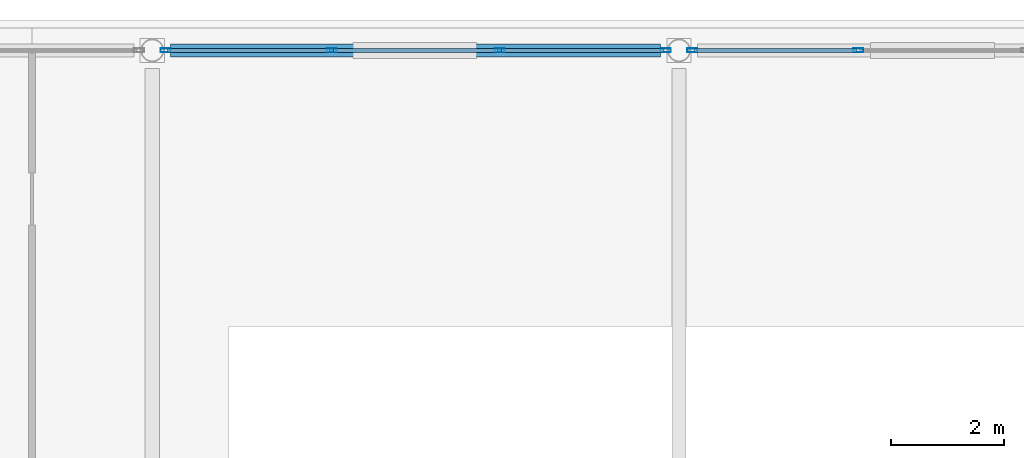
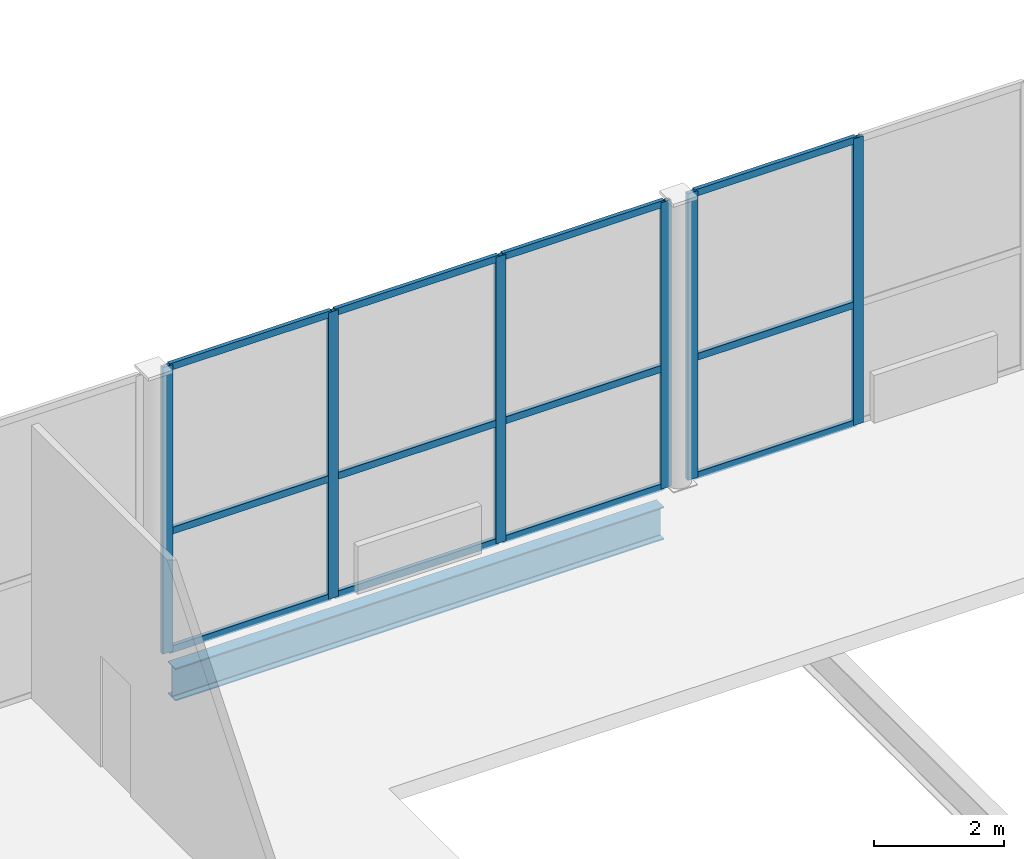
# One storey, part 53 of 83: 18 members, 1 beam, 2 elements without a shape of their own.
"""IFC4 building model written with IfcOpenShell, lengths in metres."""

import ifcopenshell
import ifcopenshell.guid

model = None  # the IFC model being written
_history = None  # IfcOwnerHistory: only IFC2X3 demands one
_inside = {}  # id of a spatial element -> (the spatial element, [elements in it])
_under = {}  # id of a project, library or spatial element -> (it, [spatial elements below it])
_declared = {}  # id of a project -> (the project, [libraries it declares])
_typed = {}  # id of a type object -> (the type object, [elements of that type])
_made_of = {}  # id of a material, layer set ... -> (it, [elements and type objects made of it])


def new_model(schema):
    """Start an empty IFC model of exactly this schema.

    Asked for "IFC4X3", IfcOpenShell would pick the latest addendum, in which some entities
    have other attributes; the version numbers below select the first issue.
    IFC2X3 requires an IfcOwnerHistory on every rooted entity: one is made here for all.
    """
    global model, _history
    if schema == "IFC4X3":
        model = ifcopenshell.file(schema_version=(4, 3, 0, 0))
    else:
        model = ifcopenshell.file(schema=schema)
    _inside.clear()
    _under.clear()
    _declared.clear()
    _typed.clear()
    _made_of.clear()
    _history = None
    if model.schema == "IFC2X3":
        org = make("IfcOrganization", Name="unknown")
        user = make(
            "IfcPersonAndOrganization",
            ThePerson=make("IfcPerson", FamilyName="unknown"),
            TheOrganization=org,
        )
        app = make(
            "IfcApplication",
            ApplicationDeveloper=org,
            Version="unknown",
            ApplicationFullName="unknown",
            ApplicationIdentifier="unknown",
        )
        _history = make(
            "IfcOwnerHistory",
            OwningUser=user,
            OwningApplication=app,
            ChangeAction="ADDED",
            CreationDate=0,
        )
    return model


def make(cls, **values):
    """One entity of the class cls with the attributes given. An attribute that is None is left unset."""
    return model.create_entity(
        cls, **{name: value for name, value in values.items() if value is not None}
    )


def rooted(cls, **values):
    """An entity with a GlobalId (a new one), such as an element, a storey or a relation."""
    return make(cls, GlobalId=ifcopenshell.guid.new(), OwnerHistory=_history, **values)


def si_unit(unit_type, name, prefix=None):
    """IfcSIUnit, for example si_unit("LENGTHUNIT", "METRE", prefix="MILLI")."""
    return make("IfcSIUnit", UnitType=unit_type, Prefix=prefix, Name=name)


def assignment(units):
    """IfcUnitAssignment: the units of a project."""
    return None if units is None else make("IfcUnitAssignment", Units=units)


def point(xyz):
    """IfcCartesianPoint."""
    return None if xyz is None else make("IfcCartesianPoint", Coordinates=xyz)


def direction(xyz):
    """IfcDirection."""
    return None if xyz is None else make("IfcDirection", DirectionRatios=xyz)


def frame(location, z_axis=None, x_axis=None):
    """IfcAxis2Placement3D, a coordinate frame: its origin and axes. An axis left out is left unset."""
    return make(
        "IfcAxis2Placement3D",
        Location=point(location),
        Axis=direction(z_axis),
        RefDirection=direction(x_axis),
    )


def frame_2d(location, x_axis=None):
    """IfcAxis2Placement2D, a coordinate frame in the plane: its origin and x axis."""
    return make(
        "IfcAxis2Placement2D", Location=point(location), RefDirection=direction(x_axis)
    )


def origin():
    """The frame at (0, 0, 0) with its axes left unset."""
    return frame((0.0, 0.0, 0.0))


def origin_2d():
    """The frame at (0, 0) in the plane with its x axis left unset."""
    return frame_2d((0.0, 0.0))


def place(relative_to, where):
    """IfcLocalPlacement: puts the frame where relative to a parent placement (None: the world)."""
    return make(
        "IfcLocalPlacement", PlacementRelTo=relative_to, RelativePlacement=where
    )


def context(
    kind, dimensions, precision=None, world=None, true_north=None, identifier=None
):
    """IfcGeometricRepresentationContext, for example the 3D "Model" context."""
    return make(
        "IfcGeometricRepresentationContext",
        ContextIdentifier=identifier,
        ContextType=kind,
        CoordinateSpaceDimension=dimensions,
        Precision=precision,
        WorldCoordinateSystem=world,
        TrueNorth=true_north,
    )


def subcontext(parent, identifier, kind, view, scale=None):
    """IfcGeometricRepresentationSubContext, for example "Body" below "Model"."""
    return make(
        "IfcGeometricRepresentationSubContext",
        ContextIdentifier=identifier,
        ContextType=kind,
        ParentContext=parent,
        TargetScale=scale,
        TargetView=view,
    )


def project(units=None, contexts=None):
    """IfcProject with its units and contexts."""
    return rooted(
        "IfcProject",
        Name="project",
        RepresentationContexts=contexts,
        UnitsInContext=assignment(units),
    )


def spatial(cls, under=None, at=None, **own):
    """A site, building, storey or space (cls), placed at a placement, below another one or the project."""
    s = rooted(cls, ObjectPlacement=at, **own)
    if under is not None:
        _under.setdefault(under.id(), (under, []))[1].append(s)
    return s


def profile(cls, at=None, kind="AREA", **sizes):
    """A parametric profile (cls). Its sizes go by their IFC names, for example OverallWidth=200.0."""
    return make(cls, ProfileType=kind, Position=at, **sizes)


def hollow_rectangle(**sizes):
    """IfcRectangleHollowProfileDef."""
    return profile("IfcRectangleHollowProfileDef", **sizes)


def i_section(**sizes):
    """IfcIShapeProfileDef."""
    return profile("IfcIShapeProfileDef", **sizes)


def extrude(swept, where, along, depth):
    """IfcExtrudedAreaSolid: the profile swept, set in the frame where, extruded along a direction by depth."""
    return make(
        "IfcExtrudedAreaSolid",
        SweptArea=swept,
        Position=where,
        ExtrudedDirection=direction(along),
        Depth=depth,
    )


def shape(context_of_items, identifier, shape_type, items):
    """IfcShapeRepresentation: the items that make up one representation, for example the "Body"."""
    return make(
        "IfcShapeRepresentation",
        ContextOfItems=context_of_items,
        RepresentationIdentifier=identifier,
        RepresentationType=shape_type,
        Items=items,
    )


def material(Name=None, Category=None):
    """IfcMaterial."""
    return make("IfcMaterial", Name=Name, Category=Category)


def layer(
    of_material, thickness, ventilated=None, Name=None, Category=None, Priority=None
):
    """IfcMaterialLayer: one layer of a wall or slab, of a material (None: an air gap)."""
    return make(
        "IfcMaterialLayer",
        Material=of_material,
        LayerThickness=thickness,
        IsVentilated=ventilated,
        Name=Name,
        Category=Category,
        Priority=Priority,
    )


def layer_set(layers, Name=None):
    """IfcMaterialLayerSet."""
    return make("IfcMaterialLayerSet", MaterialLayers=layers, LayerSetName=Name)


def material_profile(
    of_material, cross_section, Name=None, Category=None, Priority=None
):
    """IfcMaterialProfile: a cross section and its material."""
    return make(
        "IfcMaterialProfile",
        Name=Name,
        Material=of_material,
        Profile=cross_section,
        Priority=Priority,
        Category=Category,
    )


def profile_set(profiles, Name=None, composite=None):
    """IfcMaterialProfileSet."""
    return make(
        "IfcMaterialProfileSet",
        Name=Name,
        MaterialProfiles=profiles,
        CompositeProfile=composite,
    )


def made_of(thing, what):
    """Note that an element or type object is made of a material, layer set ...; save() writes the relation."""
    if what is not None:
        _made_of.setdefault(what.id(), (what, []))[1].append(thing)
    return thing


def type_object(cls, material=None, **own):
    """A type object (cls), such as IfcWallType, which elements share."""
    return made_of(rooted(cls, **own), material)


def element(
    cls,
    number,
    at=None,
    inside=None,
    cuts=None,
    type_object=None,
    material=None,
    context=None,
    identifier="Body",
    shape_type=None,
    held_by="IfcProductDefinitionShape",
    body=None,
    shapes=None,
    **own,
):
    """One element of the class cls, such as IfcWall. Its Tag is "e" and its number.

    at: its placement. inside: the storey or other place that contains it. cuts: it is an
    opening in that element (IfcRelVoidsElement). A single representation is given by context,
    identifier, shape_type and body (its items); several are given by shapes. held_by: the class
    of the entity that holds the representations. save() writes the other relations.
    """
    e = rooted(cls, Tag="e%d" % number, ObjectPlacement=at, **own)
    if body is not None:
        shapes = [shape(context, identifier, shape_type, body)]
    if shapes is not None:
        e.Representation = make(held_by, Representations=shapes)
    if inside is not None:
        _inside.setdefault(inside.id(), (inside, []))[1].append(e)
    if cuts is not None:
        rooted(
            "IfcRelVoidsElement", RelatingBuildingElement=cuts, RelatedOpeningElement=e
        )
    if type_object is not None:
        _typed.setdefault(type_object.id(), (type_object, []))[1].append(e)
    return made_of(e, material)


def aggregate(whole, parts):
    """IfcRelAggregates: a whole, such as a stair, and the parts it consists of."""
    return rooted("IfcRelAggregates", RelatingObject=whole, RelatedObjects=parts)


def save(model, path):
    """Write the relations noted so far, then the file.

    IfcRelAggregates (storeys below a building ...), IfcRelContainedInSpatialStructure (elements
    in a storey), IfcRelDefinesByType, IfcRelAssociatesMaterial and IfcRelDeclares: one each for
    every whole, place, type object, material and project.
    """
    for whole, parts in _under.values():
        aggregate(whole, parts)
    for where, things in _inside.values():
        rooted(
            "IfcRelContainedInSpatialStructure",
            RelatedElements=things,
            RelatingStructure=where,
        )
    for kind, things in _typed.values():
        rooted("IfcRelDefinesByType", RelatedObjects=things, RelatingType=kind)
    for what, things in _made_of.values():
        rooted("IfcRelAssociatesMaterial", RelatedObjects=things, RelatingMaterial=what)
    for by, libraries in _declared.values():
        rooted("IfcRelDeclares", RelatingContext=by, RelatedDefinitions=libraries)
    model.write(path)


model = new_model("IFC4")

# Units and contexts
model_context = context("Model", 3, precision=1e-05, world=origin(), true_north=direction((0.0, 1.0)))
body_context = subcontext(model_context, "Body", "Model", "MODEL_VIEW")
ifc_project = project(units=[si_unit("LENGTHUNIT", "METRE"), si_unit("AREAUNIT", "SQUARE_METRE"), si_unit("VOLUMEUNIT", "CUBIC_METRE"), si_unit("PLANEANGLEUNIT", "RADIAN"), si_unit("MASSUNIT", "GRAM", prefix="KILO")], contexts=[model_context])

# Site, building, storey
site_placement = place(None, origin())
site = spatial("IfcSite", under=ifc_project, at=site_placement, CompositionType="ELEMENT")
building_placement = place(site_placement, origin())
building = spatial("IfcBuilding", under=site, at=building_placement, Name="Quillay Park Conservatory", CompositionType="ELEMENT")
storey_placement = place(building_placement, origin())
storey = spatial("IfcBuildingStorey", under=building, at=storey_placement, Name="L00", CompositionType="ELEMENT", Elevation=0.0)

# Curtain wall, members
ifc_material_1 = material(Name="Thermally Broken Anodised Aluminium 6063-T6", Category="aluminium")
ifc_layer = layer(ifc_material_1, 0.219970703125)
ifc_layer_set = layer_set([ifc_layer], Name="UNITISED CURTAIN WALL CONSERVATORY (Thermally Broken Anodised Aluminium 6063-T6)")
curtain_wall_type = type_object("IfcCurtainWallType", Name="UNITISED CURTAIN WALL CONSERVATORY", PredefinedType="USERDEFINED", material=ifc_layer_set)
curtain_wall_1_placement = place(storey_placement, origin())
curtain_wall_1 = element("IfcCurtainWall", 1, at=curtain_wall_1_placement, inside=storey, type_object=curtain_wall_type, Name="L00 Unitised Curtain Wall 159", ObjectType="UNITISED CURTAIN WALL", PredefinedType="USERDEFINED")
ifc_material_2 = material(Name="Thermally Broken Anodised Aluminium 6063-T6", Category="aluminium")
ifc_material_profile_1 = material_profile(ifc_material_2, hollow_rectangle(XDim=0.070068359375, YDim=0.179931640625, WallThickness=0.00390625, at=origin_2d()), Name="AL70x180x4")
ifc_profile_set_1 = profile_set([ifc_material_profile_1], Name="Thermally Broken Anodised Aluminium 6063-T6")
member_type_1 = type_object("IfcMemberType", Name="CURTAIN WALL MULLION 70 X180", PredefinedType="MULLION", material=ifc_profile_set_1)
member_1_placement = place(storey_placement, frame((96.3759765625, 113.39990234375, 0.0), z_axis=(0.0, 0.0, 1.0), x_axis=(0.0, 1.0, 0.0)))
member_1 = element("IfcMember", 2, at=member_1_placement, type_object=member_type_1, Name="CW-C1 mullion 1", PredefinedType="MULLION", context=body_context, shape_type="SweptSolid", body=[
    extrude(hollow_rectangle(XDim=0.070068359375, YDim=0.179931640625, WallThickness=0.00390625, at=origin_2d()), origin(), (0.0, 0.0, 1.0), 5.39990234375),
])
member_2_placement = place(storey_placement, frame((99.32470703125, 113.39990234375, 0.0), z_axis=(0.0, 0.0, 1.0), x_axis=(0.0, 1.0, 0.0)))
member_2 = element("IfcMember", 3, at=member_2_placement, type_object=member_type_1, Name="CW-C1 mullion 2", PredefinedType="MULLION", context=body_context, shape_type="SweptSolid", body=[
    extrude(hollow_rectangle(XDim=0.070068359375, YDim=0.179931640625, WallThickness=0.00390625, at=origin_2d()), origin(), (0.0, 0.0, 1.0), 5.39990234375),
])
member_3_placement = place(storey_placement, frame((102.30859375, 113.39990234375, 0.0), z_axis=(0.0, 0.0, 1.0), x_axis=(0.0, 1.0, 0.0)))
member_3 = element("IfcMember", 4, at=member_3_placement, type_object=member_type_1, Name="CW-C1 mullion 3", PredefinedType="MULLION", context=body_context, shape_type="SweptSolid", body=[
    extrude(hollow_rectangle(XDim=0.070068359375, YDim=0.179931640625, WallThickness=0.00390625, at=origin_2d()), origin(), (0.0, 0.0, 1.0), 5.39990234375),
])
member_4_placement = place(storey_placement, frame((105.25732421875, 113.39990234375, 0.0), z_axis=(0.0, 0.0, 1.0), x_axis=(0.0, 1.0, 0.0)))
member_4 = element("IfcMember", 5, at=member_4_placement, type_object=member_type_1, Name="CW-C1 mullion 4", PredefinedType="MULLION", context=body_context, shape_type="SweptSolid", body=[
    extrude(hollow_rectangle(XDim=0.070068359375, YDim=0.179931640625, WallThickness=0.00390625, at=origin_2d()), origin(), (0.0, 0.0, 1.0), 5.39990234375),
])

curtain_wall_2_placement = place(storey_placement, origin())
curtain_wall_2 = element("IfcCurtainWall", 6, at=curtain_wall_2_placement, inside=storey, type_object=curtain_wall_type, Name="L00 Unitised Curtain Wall 161", ObjectType="UNITISED CURTAIN WALL", PredefinedType="USERDEFINED")
member_5_placement = place(storey_placement, frame((105.7314453125, 113.39990234375, 0.0), z_axis=(0.0, 0.0, 1.0), x_axis=(0.0, 1.0, 0.0)))
member_5 = element("IfcMember", 7, at=member_5_placement, type_object=member_type_1, Name="CW-C1 mullion 1", PredefinedType="MULLION", context=body_context, shape_type="SweptSolid", body=[
    extrude(hollow_rectangle(XDim=0.070068359375, YDim=0.179931640625, WallThickness=0.00390625, at=origin_2d()), origin(), (0.0, 0.0, 1.0), 5.39990234375),
])
member_6_placement = place(storey_placement, frame((108.68017578125, 113.39990234375, 0.0), z_axis=(0.0, 0.0, 1.0), x_axis=(0.0, 1.0, 0.0)))
member_6 = element("IfcMember", 8, at=member_6_placement, type_object=member_type_1, Name="CW-C1 mullion 2", PredefinedType="MULLION", context=body_context, shape_type="SweptSolid", body=[
    extrude(hollow_rectangle(XDim=0.070068359375, YDim=0.179931640625, WallThickness=0.00390625, at=origin_2d()), origin(), (0.0, 0.0, 1.0), 5.39990234375),
])

# Member
ifc_material_3 = material(Name="Thermally Broken Anodised Aluminium 6063-T6", Category="aluminium")
ifc_material_profile_2 = material_profile(ifc_material_3, hollow_rectangle(XDim=0.070068359375, YDim=0.1298828125, WallThickness=0.003173828125, at=origin_2d()), Name="AL70x130x3.2")
ifc_profile_set_2 = profile_set([ifc_material_profile_2], Name="Thermally Broken Anodised Aluminium 6063-T6")
member_type_2 = type_object("IfcMemberType", Name="CURTAIN WALL TRANSOM 70 X130", PredefinedType="USERDEFINED", material=ifc_profile_set_2)
member_7_placement = place(storey_placement, frame((96.410888671875, 113.39990234375, 0.034912109375), z_axis=(1.0, 0.0, 0.0), x_axis=(0.0, 1.0, 0.0)))
member_7 = element("IfcMember", 9, at=member_7_placement, type_object=member_type_2, Name="CW-C1 transom 1.1", ObjectType="TRANSOM", PredefinedType="USERDEFINED", context=body_context, shape_type="SweptSolid", body=[
    extrude(hollow_rectangle(XDim=0.070068359375, YDim=0.1298828125, WallThickness=0.003173828125, at=origin_2d()), origin(), (0.0, 0.0, 1.0), 2.87890625),
])

member_8_placement = place(storey_placement, frame((96.410888671875, 113.39990234375, 2.26806640625), z_axis=(1.0, 0.0, 0.0), x_axis=(0.0, 1.0, 0.0)))
member_8 = element("IfcMember", 10, at=member_8_placement, type_object=member_type_2, Name="CW-C1 transom 1.2", ObjectType="TRANSOM", PredefinedType="USERDEFINED", context=body_context, shape_type="SweptSolid", body=[
    extrude(hollow_rectangle(XDim=0.070068359375, YDim=0.1298828125, WallThickness=0.003173828125, at=origin_2d()), origin(), (0.0, 0.0, 1.0), 2.87890625),
])

member_9_placement = place(storey_placement, frame((96.410888671875, 113.39990234375, 5.364990234375), z_axis=(1.0, 0.0, 0.0), x_axis=(0.0, 1.0, 0.0)))
member_9 = element("IfcMember", 11, at=member_9_placement, type_object=member_type_2, Name="CW-C1 transom 1.3", ObjectType="TRANSOM", PredefinedType="USERDEFINED", context=body_context, shape_type="SweptSolid", body=[
    extrude(hollow_rectangle(XDim=0.070068359375, YDim=0.1298828125, WallThickness=0.003173828125, at=origin_2d()), origin(), (0.0, 0.0, 1.0), 2.87890625),
])

member_10_placement = place(storey_placement, frame((99.359619140625, 113.39990234375, 0.034912109375), z_axis=(1.0, 0.0, 0.0), x_axis=(0.0, 1.0, 0.0)))
member_10 = element("IfcMember", 12, at=member_10_placement, type_object=member_type_2, Name="CW-C1 transom 2.1", ObjectType="TRANSOM", PredefinedType="USERDEFINED", context=body_context, shape_type="SweptSolid", body=[
    extrude(hollow_rectangle(XDim=0.070068359375, YDim=0.1298828125, WallThickness=0.003173828125, at=origin_2d()), origin(), (0.0, 0.0, 1.0), 2.9140625),
])

member_11_placement = place(storey_placement, frame((99.359619140625, 113.39990234375, 2.26806640625), z_axis=(1.0, 0.0, 0.0), x_axis=(0.0, 1.0, 0.0)))
member_11 = element("IfcMember", 13, at=member_11_placement, type_object=member_type_2, Name="CW-C1 transom 2.2", ObjectType="TRANSOM", PredefinedType="USERDEFINED", context=body_context, shape_type="SweptSolid", body=[
    extrude(hollow_rectangle(XDim=0.070068359375, YDim=0.1298828125, WallThickness=0.003173828125, at=origin_2d()), origin(), (0.0, 0.0, 1.0), 2.9140625),
])

member_12_placement = place(storey_placement, frame((99.359619140625, 113.39990234375, 5.364990234375), z_axis=(1.0, 0.0, 0.0), x_axis=(0.0, 1.0, 0.0)))
member_12 = element("IfcMember", 14, at=member_12_placement, type_object=member_type_2, Name="CW-C1 transom 2.3", ObjectType="TRANSOM", PredefinedType="USERDEFINED", context=body_context, shape_type="SweptSolid", body=[
    extrude(hollow_rectangle(XDim=0.070068359375, YDim=0.1298828125, WallThickness=0.003173828125, at=origin_2d()), origin(), (0.0, 0.0, 1.0), 2.9140625),
])

member_13_placement = place(storey_placement, frame((102.343505859375, 113.39990234375, 0.034912109375), z_axis=(1.0, 0.0, 0.0), x_axis=(0.0, 1.0, 0.0)))
member_13 = element("IfcMember", 15, at=member_13_placement, type_object=member_type_2, Name="CW-C1 transom 3.1", ObjectType="TRANSOM", PredefinedType="USERDEFINED", context=body_context, shape_type="SweptSolid", body=[
    extrude(hollow_rectangle(XDim=0.070068359375, YDim=0.1298828125, WallThickness=0.003173828125, at=origin_2d()), origin(), (0.0, 0.0, 1.0), 2.87890625),
])

member_14_placement = place(storey_placement, frame((102.343505859375, 113.39990234375, 2.26806640625), z_axis=(1.0, 0.0, 0.0), x_axis=(0.0, 1.0, 0.0)))
member_14 = element("IfcMember", 16, at=member_14_placement, type_object=member_type_2, Name="CW-C1 transom 3.2", ObjectType="TRANSOM", PredefinedType="USERDEFINED", context=body_context, shape_type="SweptSolid", body=[
    extrude(hollow_rectangle(XDim=0.070068359375, YDim=0.1298828125, WallThickness=0.003173828125, at=origin_2d()), origin(), (0.0, 0.0, 1.0), 2.87890625),
])

member_15_placement = place(storey_placement, frame((102.343505859375, 113.39990234375, 5.364990234375), z_axis=(1.0, 0.0, 0.0), x_axis=(0.0, 1.0, 0.0)))
member_15 = element("IfcMember", 17, at=member_15_placement, type_object=member_type_2, Name="CW-C1 transom 3.3", ObjectType="TRANSOM", PredefinedType="USERDEFINED", context=body_context, shape_type="SweptSolid", body=[
    extrude(hollow_rectangle(XDim=0.070068359375, YDim=0.1298828125, WallThickness=0.003173828125, at=origin_2d()), origin(), (0.0, 0.0, 1.0), 2.87890625),
])

aggregate(curtain_wall_1, [member_1, member_2, member_3, member_4, member_7, member_8, member_9, member_10, member_11, member_12, member_13, member_14, member_15])

member_16_placement = place(storey_placement, frame((105.766357421875, 113.39990234375, 0.034912109375), z_axis=(1.0, 0.0, 0.0), x_axis=(0.0, 1.0, 0.0)))
member_16 = element("IfcMember", 18, at=member_16_placement, type_object=member_type_2, Name="CW-C1 transom 1.1", ObjectType="TRANSOM", PredefinedType="USERDEFINED", context=body_context, shape_type="SweptSolid", body=[
    extrude(hollow_rectangle(XDim=0.070068359375, YDim=0.1298828125, WallThickness=0.003173828125, at=origin_2d()), origin(), (0.0, 0.0, 1.0), 2.87890625),
])

member_17_placement = place(storey_placement, frame((105.766357421875, 113.39990234375, 2.26806640625), z_axis=(1.0, 0.0, 0.0), x_axis=(0.0, 1.0, 0.0)))
member_17 = element("IfcMember", 19, at=member_17_placement, type_object=member_type_2, Name="CW-C1 transom 1.2", ObjectType="TRANSOM", PredefinedType="USERDEFINED", context=body_context, shape_type="SweptSolid", body=[
    extrude(hollow_rectangle(XDim=0.070068359375, YDim=0.1298828125, WallThickness=0.003173828125, at=origin_2d()), origin(), (0.0, 0.0, 1.0), 2.87890625),
])

member_18_placement = place(storey_placement, frame((105.766357421875, 113.39990234375, 5.364990234375), z_axis=(1.0, 0.0, 0.0), x_axis=(0.0, 1.0, 0.0)))
member_18 = element("IfcMember", 20, at=member_18_placement, type_object=member_type_2, Name="CW-C1 transom 1.3", ObjectType="TRANSOM", PredefinedType="USERDEFINED", context=body_context, shape_type="SweptSolid", body=[
    extrude(hollow_rectangle(XDim=0.070068359375, YDim=0.1298828125, WallThickness=0.003173828125, at=origin_2d()), origin(), (0.0, 0.0, 1.0), 2.87890625),
])

aggregate(curtain_wall_2, [member_5, member_6, member_16, member_17, member_18])

# Beam
ifc_material_4 = material(Name="Steel ASTM A992 Grade 50", Category="steel")
ifc_material_profile_3 = material_profile(ifc_material_4, i_section(OverallWidth=0.22998046875, OverallDepth=0.616943359375, WebThickness=0.01318359375, FlangeThickness=0.022216796875, FilletRadius=0.014892578125, at=origin_2d()), Name="W610x140")
ifc_profile_set_3 = profile_set([ifc_material_profile_3], Name="Steel ASTM A992 Grade 50")
beam_type = type_object("IfcBeamType", Name="PRIMARY FLOOR GIRDER W610 X140", PredefinedType="BEAM", material=ifc_profile_set_3)
beam_placement = place(storey_placement, frame((96.4638671875, 113.39990234375, -0.58837890625), z_axis=(1.0, 0.0, 0.0), x_axis=(0.0, 1.0, 0.0)))
element("IfcBeam", 21, at=beam_placement, inside=storey, type_object=beam_type, Name="L00 beam BM-V1L0-1627", PredefinedType="BEAM", context=body_context, shape_type="SweptSolid", body=[
    extrude(i_section(OverallWidth=0.22998046875, OverallDepth=0.616943359375, WebThickness=0.01318359375, FlangeThickness=0.022216796875, FilletRadius=0.014892578125, at=origin_2d()), origin(), (0.0, 0.0, 1.0), 8.70556640625),
])

save(model, "model.ifc")
